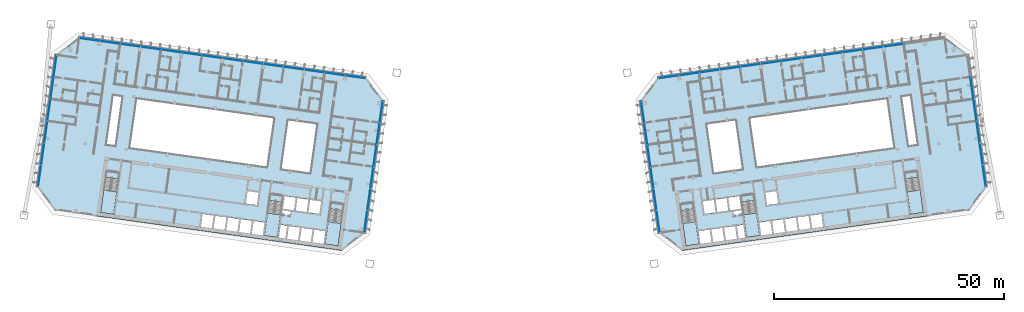
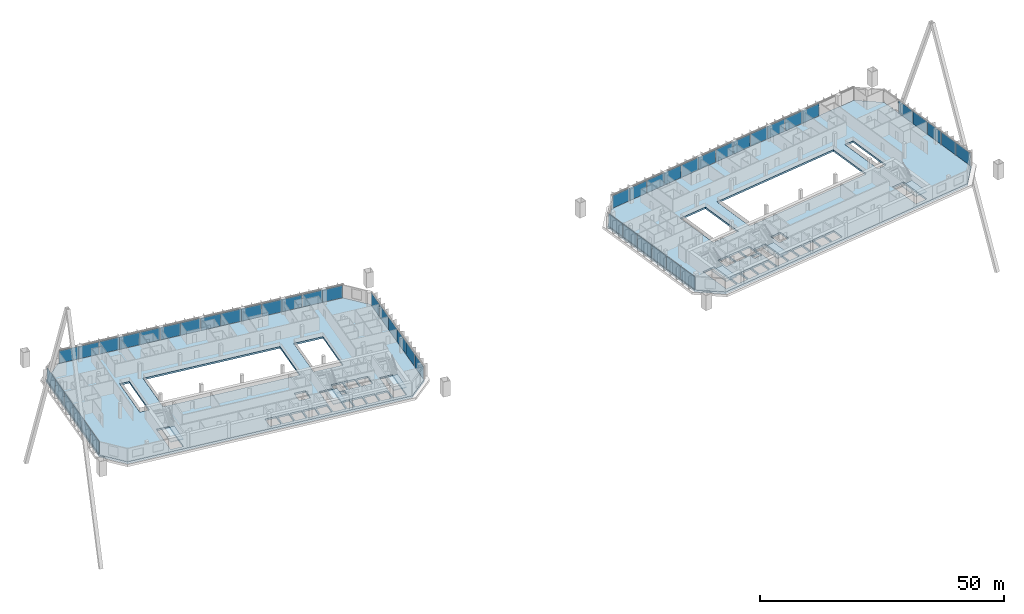
# One storey, part 19 of 33: 49 plates, 8 slabs, 12 elements without a shape of their own.
"""IFC4 building model written with IfcOpenShell, lengths in metres."""

import ifcopenshell
import ifcopenshell.guid

model = None  # the IFC model being written
_history = None  # IfcOwnerHistory: only IFC2X3 demands one
_inside = {}  # id of a spatial element -> (the spatial element, [elements in it])
_under = {}  # id of a project, library or spatial element -> (it, [spatial elements below it])
_declared = {}  # id of a project -> (the project, [libraries it declares])
_typed = {}  # id of a type object -> (the type object, [elements of that type])
_made_of = {}  # id of a material, layer set ... -> (it, [elements and type objects made of it])


def new_model(schema):
    """Start an empty IFC model of exactly this schema.

    Asked for "IFC4X3", IfcOpenShell would pick the latest addendum, in which some entities
    have other attributes; the version numbers below select the first issue.
    IFC2X3 requires an IfcOwnerHistory on every rooted entity: one is made here for all.
    """
    global model, _history
    if schema == "IFC4X3":
        model = ifcopenshell.file(schema_version=(4, 3, 0, 0))
    else:
        model = ifcopenshell.file(schema=schema)
    _inside.clear()
    _under.clear()
    _declared.clear()
    _typed.clear()
    _made_of.clear()
    _history = None
    if model.schema == "IFC2X3":
        org = make("IfcOrganization", Name="unknown")
        user = make(
            "IfcPersonAndOrganization",
            ThePerson=make("IfcPerson", FamilyName="unknown"),
            TheOrganization=org,
        )
        app = make(
            "IfcApplication",
            ApplicationDeveloper=org,
            Version="unknown",
            ApplicationFullName="unknown",
            ApplicationIdentifier="unknown",
        )
        _history = make(
            "IfcOwnerHistory",
            OwningUser=user,
            OwningApplication=app,
            ChangeAction="ADDED",
            CreationDate=0,
        )
    return model


def make(cls, **values):
    """One entity of the class cls with the attributes given. An attribute that is None is left unset."""
    return model.create_entity(
        cls, **{name: value for name, value in values.items() if value is not None}
    )


def rooted(cls, **values):
    """An entity with a GlobalId (a new one), such as an element, a storey or a relation."""
    return make(cls, GlobalId=ifcopenshell.guid.new(), OwnerHistory=_history, **values)


def si_unit(unit_type, name, prefix=None):
    """IfcSIUnit, for example si_unit("LENGTHUNIT", "METRE", prefix="MILLI")."""
    return make("IfcSIUnit", UnitType=unit_type, Prefix=prefix, Name=name)


def assignment(units):
    """IfcUnitAssignment: the units of a project."""
    return None if units is None else make("IfcUnitAssignment", Units=units)


def point(xyz):
    """IfcCartesianPoint."""
    return None if xyz is None else make("IfcCartesianPoint", Coordinates=xyz)


def direction(xyz):
    """IfcDirection."""
    return None if xyz is None else make("IfcDirection", DirectionRatios=xyz)


def frame(location, z_axis=None, x_axis=None):
    """IfcAxis2Placement3D, a coordinate frame: its origin and axes. An axis left out is left unset."""
    return make(
        "IfcAxis2Placement3D",
        Location=point(location),
        Axis=direction(z_axis),
        RefDirection=direction(x_axis),
    )


def frame_2d(location, x_axis=None):
    """IfcAxis2Placement2D, a coordinate frame in the plane: its origin and x axis."""
    return make(
        "IfcAxis2Placement2D", Location=point(location), RefDirection=direction(x_axis)
    )


def origin():
    """The frame at (0, 0, 0) with its axes left unset."""
    return frame((0.0, 0.0, 0.0))


def origin_2d():
    """The frame at (0, 0) in the plane with its x axis left unset."""
    return frame_2d((0.0, 0.0))


def place(relative_to, where):
    """IfcLocalPlacement: puts the frame where relative to a parent placement (None: the world)."""
    return make(
        "IfcLocalPlacement", PlacementRelTo=relative_to, RelativePlacement=where
    )


def context(
    kind, dimensions, precision=None, world=None, true_north=None, identifier=None
):
    """IfcGeometricRepresentationContext, for example the 3D "Model" context."""
    return make(
        "IfcGeometricRepresentationContext",
        ContextIdentifier=identifier,
        ContextType=kind,
        CoordinateSpaceDimension=dimensions,
        Precision=precision,
        WorldCoordinateSystem=world,
        TrueNorth=true_north,
    )


def subcontext(parent, identifier, kind, view, scale=None):
    """IfcGeometricRepresentationSubContext, for example "Body" below "Model"."""
    return make(
        "IfcGeometricRepresentationSubContext",
        ContextIdentifier=identifier,
        ContextType=kind,
        ParentContext=parent,
        TargetScale=scale,
        TargetView=view,
    )


def project(units=None, contexts=None):
    """IfcProject with its units and contexts."""
    return rooted(
        "IfcProject",
        Name="project",
        RepresentationContexts=contexts,
        UnitsInContext=assignment(units),
    )


def spatial(cls, under=None, at=None, **own):
    """A site, building, storey or space (cls), placed at a placement, below another one or the project."""
    s = rooted(cls, ObjectPlacement=at, **own)
    if under is not None:
        _under.setdefault(under.id(), (under, []))[1].append(s)
    return s


def polyline(points):
    """IfcPolyline through the points."""
    return make("IfcPolyline", Points=[point(p) for p in points])


def profile(cls, at=None, kind="AREA", **sizes):
    """A parametric profile (cls). Its sizes go by their IFC names, for example OverallWidth=200.0."""
    return make(cls, ProfileType=kind, Position=at, **sizes)


def rectangle(**sizes):
    """IfcRectangleProfileDef."""
    return profile("IfcRectangleProfileDef", **sizes)


def outline(outer, holes=None, kind="AREA"):
    """IfcArbitraryClosedProfileDef: a profile drawn as a closed curve; with holes, ...WithVoids."""
    if holes is None:
        return make("IfcArbitraryClosedProfileDef", ProfileType=kind, OuterCurve=outer)
    return make(
        "IfcArbitraryProfileDefWithVoids",
        ProfileType=kind,
        OuterCurve=outer,
        InnerCurves=holes,
    )


def extrude(swept, where, along, depth):
    """IfcExtrudedAreaSolid: the profile swept, set in the frame where, extruded along a direction by depth."""
    return make(
        "IfcExtrudedAreaSolid",
        SweptArea=swept,
        Position=where,
        ExtrudedDirection=direction(along),
        Depth=depth,
    )


def shape(context_of_items, identifier, shape_type, items):
    """IfcShapeRepresentation: the items that make up one representation, for example the "Body"."""
    return make(
        "IfcShapeRepresentation",
        ContextOfItems=context_of_items,
        RepresentationIdentifier=identifier,
        RepresentationType=shape_type,
        Items=items,
    )


def material(Name=None, Category=None):
    """IfcMaterial."""
    return make("IfcMaterial", Name=Name, Category=Category)


def layer(
    of_material, thickness, ventilated=None, Name=None, Category=None, Priority=None
):
    """IfcMaterialLayer: one layer of a wall or slab, of a material (None: an air gap)."""
    return make(
        "IfcMaterialLayer",
        Material=of_material,
        LayerThickness=thickness,
        IsVentilated=ventilated,
        Name=Name,
        Category=Category,
        Priority=Priority,
    )


def layer_set(layers, Name=None):
    """IfcMaterialLayerSet."""
    return make("IfcMaterialLayerSet", MaterialLayers=layers, LayerSetName=Name)


def made_of(thing, what):
    """Note that an element or type object is made of a material, layer set ...; save() writes the relation."""
    if what is not None:
        _made_of.setdefault(what.id(), (what, []))[1].append(thing)
    return thing


def type_object(cls, material=None, **own):
    """A type object (cls), such as IfcWallType, which elements share."""
    return made_of(rooted(cls, **own), material)


def element(
    cls,
    number,
    at=None,
    inside=None,
    cuts=None,
    type_object=None,
    material=None,
    context=None,
    identifier="Body",
    shape_type=None,
    held_by="IfcProductDefinitionShape",
    body=None,
    shapes=None,
    **own,
):
    """One element of the class cls, such as IfcWall. Its Tag is "e" and its number.

    at: its placement. inside: the storey or other place that contains it. cuts: it is an
    opening in that element (IfcRelVoidsElement). A single representation is given by context,
    identifier, shape_type and body (its items); several are given by shapes. held_by: the class
    of the entity that holds the representations. save() writes the other relations.
    """
    e = rooted(cls, Tag="e%d" % number, ObjectPlacement=at, **own)
    if body is not None:
        shapes = [shape(context, identifier, shape_type, body)]
    if shapes is not None:
        e.Representation = make(held_by, Representations=shapes)
    if inside is not None:
        _inside.setdefault(inside.id(), (inside, []))[1].append(e)
    if cuts is not None:
        rooted(
            "IfcRelVoidsElement", RelatingBuildingElement=cuts, RelatedOpeningElement=e
        )
    if type_object is not None:
        _typed.setdefault(type_object.id(), (type_object, []))[1].append(e)
    return made_of(e, material)


def aggregate(whole, parts):
    """IfcRelAggregates: a whole, such as a stair, and the parts it consists of."""
    return rooted("IfcRelAggregates", RelatingObject=whole, RelatedObjects=parts)


def save(model, path):
    """Write the relations noted so far, then the file.

    IfcRelAggregates (storeys below a building ...), IfcRelContainedInSpatialStructure (elements
    in a storey), IfcRelDefinesByType, IfcRelAssociatesMaterial and IfcRelDeclares: one each for
    every whole, place, type object, material and project.
    """
    for whole, parts in _under.values():
        aggregate(whole, parts)
    for where, things in _inside.values():
        rooted(
            "IfcRelContainedInSpatialStructure",
            RelatedElements=things,
            RelatingStructure=where,
        )
    for kind, things in _typed.values():
        rooted("IfcRelDefinesByType", RelatedObjects=things, RelatingType=kind)
    for what, things in _made_of.values():
        rooted("IfcRelAssociatesMaterial", RelatedObjects=things, RelatingMaterial=what)
    for by, libraries in _declared.values():
        rooted("IfcRelDeclares", RelatingContext=by, RelatedDefinitions=libraries)
    model.write(path)


model = new_model("IFC4")

# Units and contexts
model_context = context("Model", 3, precision=1e-05, world=origin(), true_north=direction((0.0, 1.0)))
body_context = subcontext(model_context, "Body", "Model", "MODEL_VIEW")
ifc_project = project(units=[si_unit("LENGTHUNIT", "METRE"), si_unit("AREAUNIT", "SQUARE_METRE"), si_unit("VOLUMEUNIT", "CUBIC_METRE"), si_unit("PLANEANGLEUNIT", "RADIAN"), si_unit("MASSUNIT", "GRAM", prefix="KILO")], contexts=[model_context])

# Site, building, storey
site_placement = place(None, origin())
site = spatial("IfcSite", under=ifc_project, at=site_placement, CompositionType="ELEMENT")
building_placement = place(site_placement, origin())
building = spatial("IfcBuilding", under=site, at=building_placement, Name="Mirante Cascada Hotel Towers", CompositionType="ELEMENT")
storey_placement = place(building_placement, frame((0.0, 0.0, 121.5)))
storey = spatial("IfcBuildingStorey", under=building, at=storey_placement, Name="L27", CompositionType="ELEMENT", Elevation=121.5)

# Curtain wall, plates
ifc_material_1 = material(Name="Aluminium mullion and transom frame with clear laminated glass", Category="aluminium")
curtain_wall_type_1 = type_object("IfcCurtainWallType", Name="Ribbon curtain wall ECW1", PredefinedType="NOTDEFINED", material=ifc_material_1)
curtain_wall_1_placement = place(storey_placement, origin())
curtain_wall_1 = element("IfcCurtainWall", 1, at=curtain_wall_1_placement, inside=storey, type_object=curtain_wall_type_1, Name="Front ribbon wall T1 L27", PredefinedType="NOTDEFINED")
ifc_material_2 = material(Name="Clear laminated glass", Category="glass")
ifc_layer_1 = layer(ifc_material_2, 0.036)
ifc_layer_set_1 = layer_set([ifc_layer_1], Name="ECW1 glass panel 36")
plate_type_1 = type_object("IfcPlateType", Name="ECW1 glass panel 36", PredefinedType="CURTAIN_PANEL", material=ifc_layer_set_1)
plate_1_placement = place(storey_placement, frame((-91.9184, 25.7373, 0.1), z_axis=(0.0, 0.0, 1.0), x_axis=(0.9902681, -0.1391731, 0.0)))
plate_1 = element("IfcPlate", 2, at=plate_1_placement, type_object=plate_type_1, Name="ECW1 panel 1", PredefinedType="CURTAIN_PANEL", context=body_context, shape_type="SweptSolid", body=[
    extrude(rectangle(XDim=4.3936, YDim=0.036, at=origin_2d()), origin(), (0.0, 0.0, 1.0), 3.15),
])
plate_2_placement = place(storey_placement, frame((-87.487, 25.1145, 0.1), z_axis=(0.0, 0.0, 1.0), x_axis=(0.9902681, -0.1391731, 0.0)))
plate_2 = element("IfcPlate", 3, at=plate_2_placement, type_object=plate_type_1, Name="ECW1 panel 2", PredefinedType="CURTAIN_PANEL", context=body_context, shape_type="SweptSolid", body=[
    extrude(rectangle(XDim=4.4261, YDim=0.036, at=origin_2d()), origin(), (0.0, 0.0, 1.0), 3.15),
])
plate_3_placement = place(storey_placement, frame((-83.0396, 24.4895, 0.1), z_axis=(0.0, 0.0, 1.0), x_axis=(0.9902681, -0.1391731, 0.0)))
plate_3 = element("IfcPlate", 4, at=plate_3_placement, type_object=plate_type_1, Name="ECW1 panel 3", PredefinedType="CURTAIN_PANEL", context=body_context, shape_type="SweptSolid", body=[
    extrude(rectangle(XDim=4.4261, YDim=0.036, at=origin_2d()), origin(), (0.0, 0.0, 1.0), 3.15),
])
plate_4_placement = place(storey_placement, frame((-78.5922, 23.8644, 0.1), z_axis=(0.0, 0.0, 1.0), x_axis=(0.9902681, -0.1391731, 0.0)))
plate_4 = element("IfcPlate", 5, at=plate_4_placement, type_object=plate_type_1, Name="ECW1 panel 4", PredefinedType="CURTAIN_PANEL", context=body_context, shape_type="SweptSolid", body=[
    extrude(rectangle(XDim=4.4261, YDim=0.036, at=origin_2d()), origin(), (0.0, 0.0, 1.0), 3.15),
])
plate_5_placement = place(storey_placement, frame((-74.1448, 23.2394, 0.1), z_axis=(0.0, 0.0, 1.0), x_axis=(0.9902681, -0.1391731, 0.0)))
plate_5 = element("IfcPlate", 6, at=plate_5_placement, type_object=plate_type_1, Name="ECW1 panel 5", PredefinedType="CURTAIN_PANEL", context=body_context, shape_type="SweptSolid", body=[
    extrude(rectangle(XDim=4.4261, YDim=0.036, at=origin_2d()), origin(), (0.0, 0.0, 1.0), 3.15),
])
plate_6_placement = place(storey_placement, frame((-69.6974, 22.6144, 0.1), z_axis=(0.0, 0.0, 1.0), x_axis=(0.9902681, -0.1391731, 0.0)))
plate_6 = element("IfcPlate", 7, at=plate_6_placement, type_object=plate_type_1, Name="ECW1 panel 6", PredefinedType="CURTAIN_PANEL", context=body_context, shape_type="SweptSolid", body=[
    extrude(rectangle(XDim=4.4261, YDim=0.036, at=origin_2d()), origin(), (0.0, 0.0, 1.0), 3.15),
])
plate_7_placement = place(storey_placement, frame((-65.2499, 21.9893, 0.1), z_axis=(0.0, 0.0, 1.0), x_axis=(0.9902681, -0.1391731, 0.0)))
plate_7 = element("IfcPlate", 8, at=plate_7_placement, type_object=plate_type_1, Name="ECW1 panel 7", PredefinedType="CURTAIN_PANEL", context=body_context, shape_type="SweptSolid", body=[
    extrude(rectangle(XDim=4.4261, YDim=0.036, at=origin_2d()), origin(), (0.0, 0.0, 1.0), 3.15),
])
plate_8_placement = place(storey_placement, frame((-60.8025, 21.3643, 0.1), z_axis=(0.0, 0.0, 1.0), x_axis=(0.9902681, -0.1391731, 0.0)))
plate_8 = element("IfcPlate", 9, at=plate_8_placement, type_object=plate_type_1, Name="ECW1 panel 8", PredefinedType="CURTAIN_PANEL", context=body_context, shape_type="SweptSolid", body=[
    extrude(rectangle(XDim=4.4261, YDim=0.036, at=origin_2d()), origin(), (0.0, 0.0, 1.0), 3.15),
])
plate_9_placement = place(storey_placement, frame((-56.3551, 20.7392, 0.1), z_axis=(0.0, 0.0, 1.0), x_axis=(0.9902681, -0.1391731, 0.0)))
plate_9 = element("IfcPlate", 10, at=plate_9_placement, type_object=plate_type_1, Name="ECW1 panel 9", PredefinedType="CURTAIN_PANEL", context=body_context, shape_type="SweptSolid", body=[
    extrude(rectangle(XDim=4.4261, YDim=0.036, at=origin_2d()), origin(), (0.0, 0.0, 1.0), 3.15),
])
plate_10_placement = place(storey_placement, frame((-51.9077, 20.1142, 0.1), z_axis=(0.0, 0.0, 1.0), x_axis=(0.9902681, -0.1391731, 0.0)))
plate_10 = element("IfcPlate", 11, at=plate_10_placement, type_object=plate_type_1, Name="ECW1 panel 10", PredefinedType="CURTAIN_PANEL", context=body_context, shape_type="SweptSolid", body=[
    extrude(rectangle(XDim=4.4261, YDim=0.036, at=origin_2d()), origin(), (0.0, 0.0, 1.0), 3.15),
])
plate_11_placement = place(storey_placement, frame((-47.4603, 19.4891, 0.1), z_axis=(0.0, 0.0, 1.0), x_axis=(0.9902681, -0.1391731, 0.0)))
plate_11 = element("IfcPlate", 12, at=plate_11_placement, type_object=plate_type_1, Name="ECW1 panel 11", PredefinedType="CURTAIN_PANEL", context=body_context, shape_type="SweptSolid", body=[
    extrude(rectangle(XDim=4.4261, YDim=0.036, at=origin_2d()), origin(), (0.0, 0.0, 1.0), 3.15),
])
plate_12_placement = place(storey_placement, frame((-43.0129, 18.8641, 0.1), z_axis=(0.0, 0.0, 1.0), x_axis=(0.9902681, -0.1391731, 0.0)))
plate_12 = element("IfcPlate", 13, at=plate_12_placement, type_object=plate_type_1, Name="ECW1 panel 12", PredefinedType="CURTAIN_PANEL", context=body_context, shape_type="SweptSolid", body=[
    extrude(rectangle(XDim=4.4261, YDim=0.036, at=origin_2d()), origin(), (0.0, 0.0, 1.0), 3.15),
])
plate_13_placement = place(storey_placement, frame((-38.5654, 18.239, 0.1), z_axis=(0.0, 0.0, 1.0), x_axis=(0.9902681, -0.1391731, 0.0)))
plate_13 = element("IfcPlate", 14, at=plate_13_placement, type_object=plate_type_1, Name="ECW1 panel 13", PredefinedType="CURTAIN_PANEL", context=body_context, shape_type="SweptSolid", body=[
    extrude(rectangle(XDim=4.4261, YDim=0.036, at=origin_2d()), origin(), (0.0, 0.0, 1.0), 3.15),
])
plate_14_placement = place(storey_placement, frame((-34.1341, 17.6163, 0.1), z_axis=(0.0, 0.0, 1.0), x_axis=(0.9902681, -0.1391731, 0.0)))
plate_14 = element("IfcPlate", 15, at=plate_14_placement, type_object=plate_type_1, Name="ECW1 panel 14", PredefinedType="CURTAIN_PANEL", context=body_context, shape_type="SweptSolid", body=[
    extrude(rectangle(XDim=4.3936, YDim=0.036, at=origin_2d()), origin(), (0.0, 0.0, 1.0), 3.15),
])
aggregate(curtain_wall_1, [plate_1, plate_2, plate_3, plate_4, plate_5, plate_6, plate_7, plate_8, plate_9, plate_10, plate_11, plate_12, plate_13, plate_14])

curtain_wall_2_placement = place(storey_placement, origin())
curtain_wall_2 = element("IfcCurtainWall", 16, at=curtain_wall_2_placement, inside=storey, type_object=curtain_wall_type_1, Name="Front ribbon wall T2 L27", PredefinedType="NOTDEFINED")
plate_15_placement = place(storey_placement, frame((83.0396, 24.4895, 0.1), z_axis=(0.0, 0.0, 1.0), x_axis=(-0.9902681, -0.1391731, 0.0)))
plate_15 = element("IfcPlate", 17, at=plate_15_placement, type_object=plate_type_1, Name="ECW1 panel 3", PredefinedType="CURTAIN_PANEL", context=body_context, shape_type="SweptSolid", body=[
    extrude(rectangle(XDim=4.4261, YDim=0.036, at=origin_2d()), origin(), (0.0, 0.0, 1.0), 3.15),
])
plate_16_placement = place(storey_placement, frame((78.5922, 23.8644, 0.1), z_axis=(0.0, 0.0, 1.0), x_axis=(-0.9902681, -0.1391731, 0.0)))
plate_16 = element("IfcPlate", 18, at=plate_16_placement, type_object=plate_type_1, Name="ECW1 panel 4", PredefinedType="CURTAIN_PANEL", context=body_context, shape_type="SweptSolid", body=[
    extrude(rectangle(XDim=4.4261, YDim=0.036, at=origin_2d()), origin(), (0.0, 0.0, 1.0), 3.15),
])
plate_17_placement = place(storey_placement, frame((74.1448, 23.2394, 0.1), z_axis=(0.0, 0.0, 1.0), x_axis=(-0.9902681, -0.1391731, 0.0)))
plate_17 = element("IfcPlate", 19, at=plate_17_placement, type_object=plate_type_1, Name="ECW1 panel 5", PredefinedType="CURTAIN_PANEL", context=body_context, shape_type="SweptSolid", body=[
    extrude(rectangle(XDim=4.4261, YDim=0.036, at=origin_2d()), origin(), (0.0, 0.0, 1.0), 3.15),
])
plate_18_placement = place(storey_placement, frame((69.6974, 22.6144, 0.1), z_axis=(0.0, 0.0, 1.0), x_axis=(-0.9902681, -0.1391731, 0.0)))
plate_18 = element("IfcPlate", 20, at=plate_18_placement, type_object=plate_type_1, Name="ECW1 panel 6", PredefinedType="CURTAIN_PANEL", context=body_context, shape_type="SweptSolid", body=[
    extrude(rectangle(XDim=4.4261, YDim=0.036, at=origin_2d()), origin(), (0.0, 0.0, 1.0), 3.15),
])
plate_19_placement = place(storey_placement, frame((65.2499, 21.9893, 0.1), z_axis=(0.0, 0.0, 1.0), x_axis=(-0.9902681, -0.1391731, 0.0)))
plate_19 = element("IfcPlate", 21, at=plate_19_placement, type_object=plate_type_1, Name="ECW1 panel 7", PredefinedType="CURTAIN_PANEL", context=body_context, shape_type="SweptSolid", body=[
    extrude(rectangle(XDim=4.4261, YDim=0.036, at=origin_2d()), origin(), (0.0, 0.0, 1.0), 3.15),
])
plate_20_placement = place(storey_placement, frame((60.8025, 21.3643, 0.1), z_axis=(0.0, 0.0, 1.0), x_axis=(-0.9902681, -0.1391731, 0.0)))
plate_20 = element("IfcPlate", 22, at=plate_20_placement, type_object=plate_type_1, Name="ECW1 panel 8", PredefinedType="CURTAIN_PANEL", context=body_context, shape_type="SweptSolid", body=[
    extrude(rectangle(XDim=4.4261, YDim=0.036, at=origin_2d()), origin(), (0.0, 0.0, 1.0), 3.15),
])
plate_21_placement = place(storey_placement, frame((56.3551, 20.7392, 0.1), z_axis=(0.0, 0.0, 1.0), x_axis=(-0.9902681, -0.1391731, 0.0)))
plate_21 = element("IfcPlate", 23, at=plate_21_placement, type_object=plate_type_1, Name="ECW1 panel 9", PredefinedType="CURTAIN_PANEL", context=body_context, shape_type="SweptSolid", body=[
    extrude(rectangle(XDim=4.4261, YDim=0.036, at=origin_2d()), origin(), (0.0, 0.0, 1.0), 3.15),
])
plate_22_placement = place(storey_placement, frame((51.9077, 20.1142, 0.1), z_axis=(0.0, 0.0, 1.0), x_axis=(-0.9902681, -0.1391731, 0.0)))
plate_22 = element("IfcPlate", 24, at=plate_22_placement, type_object=plate_type_1, Name="ECW1 panel 10", PredefinedType="CURTAIN_PANEL", context=body_context, shape_type="SweptSolid", body=[
    extrude(rectangle(XDim=4.4261, YDim=0.036, at=origin_2d()), origin(), (0.0, 0.0, 1.0), 3.15),
])
plate_23_placement = place(storey_placement, frame((47.4603, 19.4891, 0.1), z_axis=(0.0, 0.0, 1.0), x_axis=(-0.9902681, -0.1391731, 0.0)))
plate_23 = element("IfcPlate", 25, at=plate_23_placement, type_object=plate_type_1, Name="ECW1 panel 11", PredefinedType="CURTAIN_PANEL", context=body_context, shape_type="SweptSolid", body=[
    extrude(rectangle(XDim=4.4261, YDim=0.036, at=origin_2d()), origin(), (0.0, 0.0, 1.0), 3.15),
])
plate_24_placement = place(storey_placement, frame((43.0129, 18.8641, 0.1), z_axis=(0.0, 0.0, 1.0), x_axis=(-0.9902681, -0.1391731, 0.0)))
plate_24 = element("IfcPlate", 26, at=plate_24_placement, type_object=plate_type_1, Name="ECW1 panel 12", PredefinedType="CURTAIN_PANEL", context=body_context, shape_type="SweptSolid", body=[
    extrude(rectangle(XDim=4.4261, YDim=0.036, at=origin_2d()), origin(), (0.0, 0.0, 1.0), 3.15),
])
plate_25_placement = place(storey_placement, frame((38.5654, 18.239, 0.1), z_axis=(0.0, 0.0, 1.0), x_axis=(-0.9902681, -0.1391731, 0.0)))
plate_25 = element("IfcPlate", 27, at=plate_25_placement, type_object=plate_type_1, Name="ECW1 panel 13", PredefinedType="CURTAIN_PANEL", context=body_context, shape_type="SweptSolid", body=[
    extrude(rectangle(XDim=4.4261, YDim=0.036, at=origin_2d()), origin(), (0.0, 0.0, 1.0), 3.15),
])
plate_26_placement = place(storey_placement, frame((34.1341, 17.6163, 0.1), z_axis=(0.0, 0.0, 1.0), x_axis=(-0.9902681, -0.1391731, 0.0)))
plate_26 = element("IfcPlate", 28, at=plate_26_placement, type_object=plate_type_1, Name="ECW1 panel 14", PredefinedType="CURTAIN_PANEL", context=body_context, shape_type="SweptSolid", body=[
    extrude(rectangle(XDim=4.3936, YDim=0.036, at=origin_2d()), origin(), (0.0, 0.0, 1.0), 3.15),
])
aggregate(curtain_wall_2, [plate_15, plate_16, plate_17, plate_18, plate_19, plate_20, plate_21, plate_22, plate_23, plate_24, plate_25, plate_26])

ifc_material_3 = material(Name="Aluminium mullion and transom frame with clear laminated glass", Category="aluminium")
curtain_wall_type_2 = type_object("IfcCurtainWallType", Name="End ribbon curtain wall ECW2", PredefinedType="NOTDEFINED", material=ifc_material_3)
curtain_wall_3_placement = place(storey_placement, origin())
curtain_wall_3 = element("IfcCurtainWall", 29, at=curtain_wall_3_placement, inside=storey, type_object=curtain_wall_type_2, Name="Inner end wall T1 L27", PredefinedType="NOTDEFINED")
ifc_material_4 = material(Name="Clear laminated glass", Category="glass")
ifc_layer_2 = layer(ifc_material_4, 0.034)
ifc_layer_set_2 = layer_set([ifc_layer_2], Name="ECW2 glass panel 34")
plate_type_2 = type_object("IfcPlateType", Name="ECW2 glass panel 34", PredefinedType="CURTAIN_PANEL", material=ifc_layer_set_2)
plate_27_placement = place(storey_placement, frame((-28.4763, 9.9193, 0.1), z_axis=(0.0, 0.0, 1.0), x_axis=(-0.1391731, -0.9902681, 0.0)))
plate_27 = element("IfcPlate", 30, at=plate_27_placement, type_object=plate_type_2, Name="ECW2 panel 1", PredefinedType="CURTAIN_PANEL", context=body_context, shape_type="SweptSolid", body=[
    extrude(rectangle(XDim=4.7151, YDim=0.034, at=origin_2d()), origin(), (0.0, 0.0, 1.0), 3.15),
])
plate_28_placement = place(storey_placement, frame((-29.1439, 5.1696, 0.1), z_axis=(0.0, 0.0, 1.0), x_axis=(-0.1391731, -0.9902681, 0.0)))
plate_28 = element("IfcPlate", 31, at=plate_28_placement, type_object=plate_type_2, Name="ECW2 panel 2", PredefinedType="CURTAIN_PANEL", context=body_context, shape_type="SweptSolid", body=[
    extrude(rectangle(XDim=4.7476, YDim=0.034, at=origin_2d()), origin(), (0.0, 0.0, 1.0), 3.15),
])
plate_29_placement = place(storey_placement, frame((-29.8136, 0.4038, 0.1), z_axis=(0.0, 0.0, 1.0), x_axis=(-0.1391731, -0.9902681, 0.0)))
plate_29 = element("IfcPlate", 32, at=plate_29_placement, type_object=plate_type_2, Name="ECW2 panel 3", PredefinedType="CURTAIN_PANEL", context=body_context, shape_type="SweptSolid", body=[
    extrude(rectangle(XDim=4.7476, YDim=0.034, at=origin_2d()), origin(), (0.0, 0.0, 1.0), 3.15),
])
plate_30_placement = place(storey_placement, frame((-30.4834, -4.362, 0.1), z_axis=(0.0, 0.0, 1.0), x_axis=(-0.1391731, -0.9902681, 0.0)))
plate_30 = element("IfcPlate", 33, at=plate_30_placement, type_object=plate_type_2, Name="ECW2 panel 4", PredefinedType="CURTAIN_PANEL", context=body_context, shape_type="SweptSolid", body=[
    extrude(rectangle(XDim=4.7476, YDim=0.034, at=origin_2d()), origin(), (0.0, 0.0, 1.0), 3.15),
])
plate_31_placement = place(storey_placement, frame((-31.1532, -9.1278, 0.1), z_axis=(0.0, 0.0, 1.0), x_axis=(-0.1391731, -0.9902681, 0.0)))
plate_31 = element("IfcPlate", 34, at=plate_31_placement, type_object=plate_type_2, Name="ECW2 panel 5", PredefinedType="CURTAIN_PANEL", context=body_context, shape_type="SweptSolid", body=[
    extrude(rectangle(XDim=4.7476, YDim=0.034, at=origin_2d()), origin(), (0.0, 0.0, 1.0), 3.15),
])
plate_32_placement = place(storey_placement, frame((-31.8207, -13.8775, 0.1), z_axis=(0.0, 0.0, 1.0), x_axis=(-0.1391731, -0.9902681, 0.0)))
plate_32 = element("IfcPlate", 35, at=plate_32_placement, type_object=plate_type_2, Name="ECW2 panel 6", PredefinedType="CURTAIN_PANEL", context=body_context, shape_type="SweptSolid", body=[
    extrude(rectangle(XDim=4.7151, YDim=0.034, at=origin_2d()), origin(), (0.0, 0.0, 1.0), 3.15),
])
aggregate(curtain_wall_3, [plate_27, plate_28, plate_29, plate_30, plate_31, plate_32])

curtain_wall_4_placement = place(storey_placement, origin())
curtain_wall_4 = element("IfcCurtainWall", 36, at=curtain_wall_4_placement, inside=storey, type_object=curtain_wall_type_2, Name="Outer end wall T1 L27", PredefinedType="NOTDEFINED")
plate_33_placement = place(storey_placement, frame((-102.1554, 0.8509, 0.1), z_axis=(0.0, 0.0, 1.0), x_axis=(0.1391731, 0.9902681, 0.0)))
plate_33 = element("IfcPlate", 37, at=plate_33_placement, type_object=plate_type_2, Name="ECW2 panel 2", PredefinedType="CURTAIN_PANEL", context=body_context, shape_type="SweptSolid", body=[
    extrude(rectangle(XDim=4.7476, YDim=0.034, at=origin_2d()), origin(), (0.0, 0.0, 1.0), 3.15),
])
plate_34_placement = place(storey_placement, frame((-101.4857, 5.6167, 0.1), z_axis=(0.0, 0.0, 1.0), x_axis=(0.1391731, 0.9902681, 0.0)))
plate_34 = element("IfcPlate", 38, at=plate_34_placement, type_object=plate_type_2, Name="ECW2 panel 3", PredefinedType="CURTAIN_PANEL", context=body_context, shape_type="SweptSolid", body=[
    extrude(rectangle(XDim=4.7476, YDim=0.034, at=origin_2d()), origin(), (0.0, 0.0, 1.0), 3.15),
])
plate_35_placement = place(storey_placement, frame((-100.8159, 10.3825, 0.1), z_axis=(0.0, 0.0, 1.0), x_axis=(0.1391731, 0.9902681, 0.0)))
plate_35 = element("IfcPlate", 39, at=plate_35_placement, type_object=plate_type_2, Name="ECW2 panel 4", PredefinedType="CURTAIN_PANEL", context=body_context, shape_type="SweptSolid", body=[
    extrude(rectangle(XDim=4.7476, YDim=0.034, at=origin_2d()), origin(), (0.0, 0.0, 1.0), 3.15),
])
plate_36_placement = place(storey_placement, frame((-100.1461, 15.1483, 0.1), z_axis=(0.0, 0.0, 1.0), x_axis=(0.1391731, 0.9902681, 0.0)))
plate_36 = element("IfcPlate", 40, at=plate_36_placement, type_object=plate_type_2, Name="ECW2 panel 5", PredefinedType="CURTAIN_PANEL", context=body_context, shape_type="SweptSolid", body=[
    extrude(rectangle(XDim=4.7476, YDim=0.034, at=origin_2d()), origin(), (0.0, 0.0, 1.0), 3.15),
])

curtain_wall_5_placement = place(storey_placement, origin())
curtain_wall_5 = element("IfcCurtainWall", 41, at=curtain_wall_5_placement, inside=storey, type_object=curtain_wall_type_2, Name="Inner end wall T2 L27", PredefinedType="NOTDEFINED")
plate_37_placement = place(storey_placement, frame((28.4763, 9.9193, 0.1), z_axis=(0.0, 0.0, 1.0), x_axis=(0.1391731, -0.9902681, 0.0)))
plate_37 = element("IfcPlate", 42, at=plate_37_placement, type_object=plate_type_2, Name="ECW2 panel 1", PredefinedType="CURTAIN_PANEL", context=body_context, shape_type="SweptSolid", body=[
    extrude(rectangle(XDim=4.7151, YDim=0.034, at=origin_2d()), origin(), (0.0, 0.0, 1.0), 3.15),
])
plate_38_placement = place(storey_placement, frame((29.1439, 5.1696, 0.1), z_axis=(0.0, 0.0, 1.0), x_axis=(0.1391731, -0.9902681, 0.0)))
plate_38 = element("IfcPlate", 43, at=plate_38_placement, type_object=plate_type_2, Name="ECW2 panel 2", PredefinedType="CURTAIN_PANEL", context=body_context, shape_type="SweptSolid", body=[
    extrude(rectangle(XDim=4.7476, YDim=0.034, at=origin_2d()), origin(), (0.0, 0.0, 1.0), 3.15),
])
plate_39_placement = place(storey_placement, frame((29.8136, 0.4038, 0.1), z_axis=(0.0, 0.0, 1.0), x_axis=(0.1391731, -0.9902681, 0.0)))
plate_39 = element("IfcPlate", 44, at=plate_39_placement, type_object=plate_type_2, Name="ECW2 panel 3", PredefinedType="CURTAIN_PANEL", context=body_context, shape_type="SweptSolid", body=[
    extrude(rectangle(XDim=4.7476, YDim=0.034, at=origin_2d()), origin(), (0.0, 0.0, 1.0), 3.15),
])
plate_40_placement = place(storey_placement, frame((30.4834, -4.362, 0.1), z_axis=(0.0, 0.0, 1.0), x_axis=(0.1391731, -0.9902681, 0.0)))
plate_40 = element("IfcPlate", 45, at=plate_40_placement, type_object=plate_type_2, Name="ECW2 panel 4", PredefinedType="CURTAIN_PANEL", context=body_context, shape_type="SweptSolid", body=[
    extrude(rectangle(XDim=4.7476, YDim=0.034, at=origin_2d()), origin(), (0.0, 0.0, 1.0), 3.15),
])
plate_41_placement = place(storey_placement, frame((31.1532, -9.1278, 0.1), z_axis=(0.0, 0.0, 1.0), x_axis=(0.1391731, -0.9902681, 0.0)))
plate_41 = element("IfcPlate", 46, at=plate_41_placement, type_object=plate_type_2, Name="ECW2 panel 5", PredefinedType="CURTAIN_PANEL", context=body_context, shape_type="SweptSolid", body=[
    extrude(rectangle(XDim=4.7476, YDim=0.034, at=origin_2d()), origin(), (0.0, 0.0, 1.0), 3.15),
])
plate_42_placement = place(storey_placement, frame((31.8207, -13.8775, 0.1), z_axis=(0.0, 0.0, 1.0), x_axis=(0.1391731, -0.9902681, 0.0)))
plate_42 = element("IfcPlate", 47, at=plate_42_placement, type_object=plate_type_2, Name="ECW2 panel 6", PredefinedType="CURTAIN_PANEL", context=body_context, shape_type="SweptSolid", body=[
    extrude(rectangle(XDim=4.7151, YDim=0.034, at=origin_2d()), origin(), (0.0, 0.0, 1.0), 3.15),
])
aggregate(curtain_wall_5, [plate_37, plate_38, plate_39, plate_40, plate_41, plate_42])

curtain_wall_6_placement = place(storey_placement, origin())
curtain_wall_6 = element("IfcCurtainWall", 48, at=curtain_wall_6_placement, inside=storey, type_object=curtain_wall_type_2, Name="Outer end wall T2 L27", PredefinedType="NOTDEFINED")
plate_43_placement = place(storey_placement, frame((102.1554, 0.8509, 0.1), z_axis=(0.0, 0.0, 1.0), x_axis=(-0.1391731, 0.9902681, 0.0)))
plate_43 = element("IfcPlate", 49, at=plate_43_placement, type_object=plate_type_2, Name="ECW2 panel 2", PredefinedType="CURTAIN_PANEL", context=body_context, shape_type="SweptSolid", body=[
    extrude(rectangle(XDim=4.7476, YDim=0.034, at=origin_2d()), origin(), (0.0, 0.0, 1.0), 3.15),
])
plate_44_placement = place(storey_placement, frame((101.4857, 5.6167, 0.1), z_axis=(0.0, 0.0, 1.0), x_axis=(-0.1391731, 0.9902681, 0.0)))
plate_44 = element("IfcPlate", 50, at=plate_44_placement, type_object=plate_type_2, Name="ECW2 panel 3", PredefinedType="CURTAIN_PANEL", context=body_context, shape_type="SweptSolid", body=[
    extrude(rectangle(XDim=4.7476, YDim=0.034, at=origin_2d()), origin(), (0.0, 0.0, 1.0), 3.15),
])
plate_45_placement = place(storey_placement, frame((100.8159, 10.3825, 0.1), z_axis=(0.0, 0.0, 1.0), x_axis=(-0.1391731, 0.9902681, 0.0)))
plate_45 = element("IfcPlate", 51, at=plate_45_placement, type_object=plate_type_2, Name="ECW2 panel 4", PredefinedType="CURTAIN_PANEL", context=body_context, shape_type="SweptSolid", body=[
    extrude(rectangle(XDim=4.7476, YDim=0.034, at=origin_2d()), origin(), (0.0, 0.0, 1.0), 3.15),
])
plate_46_placement = place(storey_placement, frame((100.1461, 15.1483, 0.1), z_axis=(0.0, 0.0, 1.0), x_axis=(-0.1391731, 0.9902681, 0.0)))
plate_46 = element("IfcPlate", 52, at=plate_46_placement, type_object=plate_type_2, Name="ECW2 panel 5", PredefinedType="CURTAIN_PANEL", context=body_context, shape_type="SweptSolid", body=[
    extrude(rectangle(XDim=4.7476, YDim=0.034, at=origin_2d()), origin(), (0.0, 0.0, 1.0), 3.15),
])

# Plate
ifc_material_5 = material(Name="Insulated aluminium spandrel panel", Category="aluminium")
ifc_layer_3 = layer(ifc_material_5, 0.034)
ifc_layer_set_3 = layer_set([ifc_layer_3], Name="ECW2 spandrel panel 34")
plate_type_3 = type_object("IfcPlateType", Name="ECW2 spandrel panel 34", PredefinedType="CURTAIN_PANEL", material=ifc_layer_set_3)
plate_47_placement = place(storey_placement, frame((-102.823, -3.8988, 0.1), z_axis=(0.0, 0.0, 1.0), x_axis=(0.1391731, 0.9902681, 0.0)))
plate_47 = element("IfcPlate", 53, at=plate_47_placement, type_object=plate_type_3, Name="ECW2 panel 1", PredefinedType="CURTAIN_PANEL", context=body_context, shape_type="SweptSolid", body=[
    extrude(rectangle(XDim=4.7151, YDim=0.034, at=origin_2d()), origin(), (0.0, 0.0, 1.0), 3.15),
])

plate_48_placement = place(storey_placement, frame((-99.4786, 19.898, 0.1), z_axis=(0.0, 0.0, 1.0), x_axis=(0.1391731, 0.9902681, 0.0)))
plate_48 = element("IfcPlate", 54, at=plate_48_placement, type_object=plate_type_3, Name="ECW2 panel 6", PredefinedType="CURTAIN_PANEL", context=body_context, shape_type="SweptSolid", body=[
    extrude(rectangle(XDim=4.7151, YDim=0.034, at=origin_2d()), origin(), (0.0, 0.0, 1.0), 3.15),
])

aggregate(curtain_wall_4, [plate_47, plate_33, plate_34, plate_35, plate_36, plate_48])

plate_49_placement = place(storey_placement, frame((102.823, -3.8988, 0.1), z_axis=(0.0, 0.0, 1.0), x_axis=(-0.1391731, 0.9902681, 0.0)))
plate_49 = element("IfcPlate", 55, at=plate_49_placement, type_object=plate_type_3, Name="ECW2 panel 1", PredefinedType="CURTAIN_PANEL", context=body_context, shape_type="SweptSolid", body=[
    extrude(rectangle(XDim=4.7151, YDim=0.034, at=origin_2d()), origin(), (0.0, 0.0, 1.0), 3.15),
])

aggregate(curtain_wall_6, [plate_49, plate_43, plate_44, plate_45, plate_46])

# Stair, slab
ifc_material_6 = material(Name="Concrete C35/45", Category="concrete")
stair_type = type_object("IfcStairType", Name="Exit stair half-turn 1350 concrete C35/45", PredefinedType="HALF_TURN_STAIR", material=ifc_material_6)
stair_1_placement = place(storey_placement, origin())
stair_1 = element("IfcStair", 56, at=stair_1_placement, inside=storey, type_object=stair_type, Name="L27 Exit stair A", PredefinedType="HALF_TURN_STAIR")
ifc_material_7 = material(Name="Concrete C35/45", Category="concrete")
ifc_layer_4 = layer(ifc_material_7, 0.2)
ifc_layer_set_4 = layer_set([ifc_layer_4], Name="Exit stair landing 200 concrete C35/45")
slab_type_1 = type_object("IfcSlabType", Name="Exit stair landing 200 concrete C35/45", PredefinedType="LANDING", material=ifc_layer_set_4)
slab_1_placement = place(storey_placement, frame((0.0, 0.0, 1.7)))
slab_1 = element("IfcSlab", 57, at=slab_1_placement, type_object=slab_type_1, Name="ST1-A landing 1", PredefinedType="LANDING", context=body_context, shape_type="SweptSolid", body=[
    extrude(outline(polyline([(-39.9987, -13.8659), (-40.6887, -18.7757), (-37.8665, -19.1723), (-37.1765, -14.2626), (-39.9987, -13.8659)])), origin(), (0.0, 0.0, 1.0), 0.2),
])
aggregate(stair_1, [slab_1])

stair_2_placement = place(storey_placement, origin())
stair_2 = element("IfcStair", 58, at=stair_2_placement, inside=storey, type_object=stair_type, Name="L27 Exit stair B", PredefinedType="HALF_TURN_STAIR")
slab_2_placement = place(storey_placement, frame((0.0, 0.0, 1.7)))
slab_2 = element("IfcSlab", 59, at=slab_2_placement, type_object=slab_type_1, Name="ST1-B landing 1", PredefinedType="LANDING", context=body_context, shape_type="SweptSolid", body=[
    extrude(outline(polyline([(-53.2188, -12.008), (-53.9088, -16.9177), (-51.0866, -17.3144), (-50.3965, -12.4046), (-53.2188, -12.008)])), origin(), (0.0, 0.0, 1.0), 0.2),
])
aggregate(stair_2, [slab_2])

stair_3_placement = place(storey_placement, origin())
stair_3 = element("IfcStair", 60, at=stair_3_placement, inside=storey, type_object=stair_type, Name="L27 Exit stair C", PredefinedType="HALF_TURN_STAIR")
slab_3_placement = place(storey_placement, frame((0.0, 0.0, 1.7)))
slab_3 = element("IfcSlab", 61, at=slab_3_placement, type_object=slab_type_1, Name="ST1-C landing 1", PredefinedType="LANDING", context=body_context, shape_type="SweptSolid", body=[
    extrude(outline(polyline([(-88.8685, -6.9977), (-89.5585, -11.9075), (-86.7362, -12.3041), (-86.0462, -7.3944), (-88.8685, -6.9977)])), origin(), (0.0, 0.0, 1.0), 0.2),
])
aggregate(stair_3, [slab_3])

stair_4_placement = place(storey_placement, origin())
stair_4 = element("IfcStair", 62, at=stair_4_placement, inside=storey, type_object=stair_type, Name="L27 Exit stair A", PredefinedType="HALF_TURN_STAIR")
slab_4_placement = place(storey_placement, frame((0.0, 0.0, 1.7)))
slab_4 = element("IfcSlab", 63, at=slab_4_placement, type_object=slab_type_1, Name="ST2-A landing 1", PredefinedType="LANDING", context=body_context, shape_type="SweptSolid", body=[
    extrude(outline(polyline([(37.1765, -14.2626), (37.8665, -19.1723), (40.6887, -18.7757), (39.9987, -13.8659), (37.1765, -14.2626)])), origin(), (0.0, 0.0, 1.0), 0.2),
])
aggregate(stair_4, [slab_4])

stair_5_placement = place(storey_placement, origin())
stair_5 = element("IfcStair", 64, at=stair_5_placement, inside=storey, type_object=stair_type, Name="L27 Exit stair B", PredefinedType="HALF_TURN_STAIR")
slab_5_placement = place(storey_placement, frame((0.0, 0.0, 1.7)))
slab_5 = element("IfcSlab", 65, at=slab_5_placement, type_object=slab_type_1, Name="ST2-B landing 1", PredefinedType="LANDING", context=body_context, shape_type="SweptSolid", body=[
    extrude(outline(polyline([(50.3965, -12.4046), (51.0866, -17.3144), (53.9088, -16.9177), (53.2188, -12.008), (50.3965, -12.4046)])), origin(), (0.0, 0.0, 1.0), 0.2),
])
aggregate(stair_5, [slab_5])

stair_6_placement = place(storey_placement, origin())
stair_6 = element("IfcStair", 66, at=stair_6_placement, inside=storey, type_object=stair_type, Name="L27 Exit stair C", PredefinedType="HALF_TURN_STAIR")
slab_6_placement = place(storey_placement, frame((0.0, 0.0, 1.7)))
slab_6 = element("IfcSlab", 67, at=slab_6_placement, type_object=slab_type_1, Name="ST2-C landing 1", PredefinedType="LANDING", context=body_context, shape_type="SweptSolid", body=[
    extrude(outline(polyline([(86.0462, -7.3944), (86.7362, -12.3041), (89.5585, -11.9075), (88.8685, -6.9977), (86.0462, -7.3944)])), origin(), (0.0, 0.0, 1.0), 0.2),
])
aggregate(stair_6, [slab_6])

# Slabs
ifc_material_8 = material(Name="Concrete C40/50", Category="concrete")
ifc_layer_5 = layer(ifc_material_8, 0.45)
ifc_layer_set_5 = layer_set([ifc_layer_5], Name="Post-tensioned flat plate 450 Concrete C40/50")
slab_type_2 = type_object("IfcSlabType", Name="Post-tensioned flat plate 450 Concrete C40/50", PredefinedType="FLOOR", material=ifc_layer_set_5)
slab_7_placement = place(storey_placement, frame((0.0, 0.0, -0.45)))
element("IfcSlab", 68, at=slab_7_placement, inside=storey, type_object=slab_type_2, Name="Floor T1 L27", PredefinedType="FLOOR", context=body_context, shape_type="SweptSolid", body=[
    extrude(outline(polyline([(-32.018, -16.3589), (-27.982, 12.3589), (-31.8119, 17.4414), (-94.1988, 26.2093), (-99.2813, 22.3794), (-103.3173, -6.3384), (-99.4874, -11.4209), (-37.1005, -20.1888), (-32.018, -16.3589)]), holes=[polyline([(-43.0718, -15.6132), (-40.5961, -15.9612), (-40.9858, -18.7339), (-43.4615, -18.386), (-43.0718, -15.6132)]), polyline([(-45.8446, -15.2236), (-43.3689, -15.5715), (-43.7586, -18.3442), (-46.2342, -17.9963), (-45.8446, -15.2236)]), polyline([(-48.6173, -14.8339), (-46.1416, -15.1818), (-46.5313, -17.9546), (-49.007, -17.6066), (-48.6173, -14.8339)]), polyline([(-50.3998, -14.5834), (-48.9144, -14.7921), (-49.3041, -17.5649), (-50.7895, -17.3561), (-50.3998, -14.5834)]), polyline([(-36.7887, -11.5037), (-37.8665, -19.1723), (-40.6887, -18.7757), (-39.611, -11.107), (-36.7887, -11.5037)]), polyline([(-49.9544, -11.4145), (-48.1472, -11.6685), (-48.2829, -12.634), (-50.0901, -12.38), (-49.9544, -11.4145)]), polyline([(-43.9775, -9.124), (-41.5018, -9.472), (-41.8915, -12.2447), (-44.3672, -11.8968), (-43.9775, -9.124)]), polyline([(-47.1399, -11.5071), (-46.7503, -8.7344), (-44.2746, -9.0823), (-44.6643, -11.855), (-47.1399, -11.5071)]), polyline([(-49.9127, -11.1174), (-49.523, -8.3447), (-47.0473, -8.6926), (-47.437, -11.4654), (-49.9127, -11.1174)]), polyline([(-56.2919, -13.7553), (-53.8162, -14.1032), (-54.2059, -16.876), (-56.6816, -16.528), (-56.2919, -13.7553)]), polyline([(-59.0646, -13.3656), (-56.589, -13.7135), (-56.9787, -16.4863), (-59.4543, -16.1383), (-59.0646, -13.3656)]), polyline([(-61.8374, -12.9759), (-59.3617, -13.3238), (-59.7514, -16.0966), (-62.2271, -15.7487), (-61.8374, -12.9759)]), polyline([(-64.6101, -12.5862), (-62.1345, -12.9342), (-62.5242, -15.7069), (-64.9998, -15.359), (-64.6101, -12.5862)]), polyline([(-67.3829, -12.1965), (-64.9072, -12.5445), (-65.2969, -15.3172), (-67.7726, -14.9693), (-67.3829, -12.1965)]), polyline([(-50.0088, -9.6457), (-51.0866, -17.3144), (-53.9088, -16.9177), (-52.8311, -9.2491), (-50.0088, -9.6457)]), polyline([(-85.6585, -4.6355), (-86.7362, -12.3041), (-89.5585, -11.9075), (-88.4807, -4.2388), (-85.6585, -4.6355)]), polyline([(-57.9834, -9.9832), (-57.5937, -7.2104), (-55.118, -7.5583), (-55.5077, -10.3311), (-57.9834, -9.9832)]), polyline([(-86.873, 13.6677), (-84.7325, 13.3668), (-84.7325, 13.3668), (-86.2634, 2.4739), (-86.2634, 2.4739), (-88.4039, 2.7747), (-86.873, 13.6677)]), polyline([(-51.7318, 8.7289), (-53.2627, -2.1641), (-53.2627, -2.1641), (-83.2906, 2.0561), (-83.2906, 2.0561), (-81.7597, 12.949), (-81.7597, 12.949), (-51.7318, 8.7289)]), polyline([(-42.3109, 7.4049), (-43.8418, -3.4881), (-50.2899, -2.5818), (-50.2899, -2.5818), (-48.759, 8.3111), (-42.3109, 7.4049)])]), origin(), (0.0, 0.0, 1.0), 0.45),
])
slab_8_placement = place(storey_placement, frame((0.0, 0.0, -0.45)))
element("IfcSlab", 69, at=slab_8_placement, inside=storey, type_object=slab_type_2, Name="Floor T2 L27", PredefinedType="FLOOR", context=body_context, shape_type="SweptSolid", body=[
    extrude(outline(polyline([(32.018, -16.3589), (27.982, 12.3589), (31.8119, 17.4414), (94.1988, 26.2093), (99.2813, 22.3794), (103.3173, -6.3384), (99.4874, -11.4209), (37.1005, -20.1888), (32.018, -16.3589)]), holes=[polyline([(43.0718, -15.6132), (40.5961, -15.9612), (40.9858, -18.7339), (43.4615, -18.386), (43.0718, -15.6132)]), polyline([(45.8446, -15.2236), (43.3689, -15.5715), (43.7586, -18.3442), (46.2342, -17.9963), (45.8446, -15.2236)]), polyline([(48.6173, -14.8339), (46.1416, -15.1818), (46.5313, -17.9546), (49.007, -17.6066), (48.6173, -14.8339)]), polyline([(50.3998, -14.5834), (48.9144, -14.7921), (49.3041, -17.5649), (50.7895, -17.3561), (50.3998, -14.5834)]), polyline([(37.8665, -19.1723), (40.6887, -18.7757), (39.611, -11.107), (36.7887, -11.5037), (37.8665, -19.1723)]), polyline([(49.9544, -11.4145), (48.1472, -11.6685), (48.2829, -12.634), (50.0901, -12.38), (49.9544, -11.4145)]), polyline([(43.9775, -9.124), (41.5018, -9.472), (41.8915, -12.2447), (44.3672, -11.8968), (43.9775, -9.124)]), polyline([(47.1399, -11.5071), (46.7503, -8.7344), (44.2746, -9.0823), (44.6643, -11.855), (47.1399, -11.5071)]), polyline([(49.9127, -11.1174), (49.523, -8.3447), (47.0473, -8.6926), (47.437, -11.4654), (49.9127, -11.1174)]), polyline([(56.2919, -13.7553), (53.8162, -14.1032), (54.2059, -16.876), (56.6816, -16.528), (56.2919, -13.7553)]), polyline([(59.0646, -13.3656), (56.589, -13.7135), (56.9787, -16.4863), (59.4543, -16.1383), (59.0646, -13.3656)]), polyline([(61.8374, -12.9759), (59.3617, -13.3238), (59.7514, -16.0966), (62.2271, -15.7487), (61.8374, -12.9759)]), polyline([(64.6101, -12.5862), (62.1345, -12.9342), (62.5242, -15.7069), (64.9998, -15.359), (64.6101, -12.5862)]), polyline([(67.3829, -12.1965), (64.9072, -12.5445), (65.2969, -15.3172), (67.7726, -14.9693), (67.3829, -12.1965)]), polyline([(51.0866, -17.3144), (53.9088, -16.9177), (52.8311, -9.2491), (50.0088, -9.6457), (51.0866, -17.3144)]), polyline([(86.7362, -12.3041), (89.5585, -11.9075), (88.4807, -4.2388), (85.6585, -4.6355), (86.7362, -12.3041)]), polyline([(57.9834, -9.9832), (57.5937, -7.2104), (55.118, -7.5583), (55.5077, -10.3311), (57.9834, -9.9832)]), polyline([(86.873, 13.6677), (88.4039, 2.7747), (86.2634, 2.4739), (86.2634, 2.4739), (84.7325, 13.3668), (84.7325, 13.3668), (86.873, 13.6677)]), polyline([(81.7597, 12.949), (81.7597, 12.949), (83.2906, 2.0561), (83.2906, 2.0561), (53.2627, -2.1641), (53.2627, -2.1641), (51.7318, 8.7289), (81.7597, 12.949)]), polyline([(43.8418, -3.4881), (42.3109, 7.4049), (48.759, 8.3111), (50.2899, -2.5818), (50.2899, -2.5818), (43.8418, -3.4881)])]), origin(), (0.0, 0.0, 1.0), 0.45),
])

save(model, "model.ifc")
